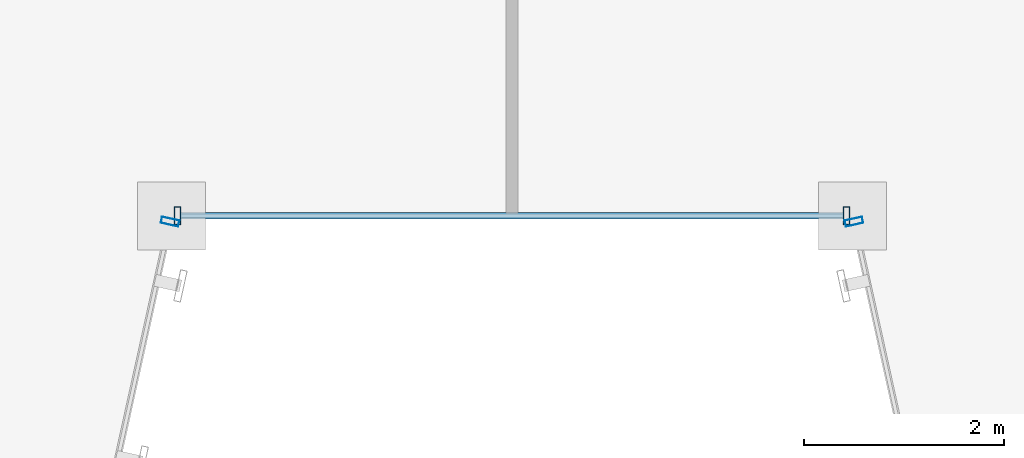
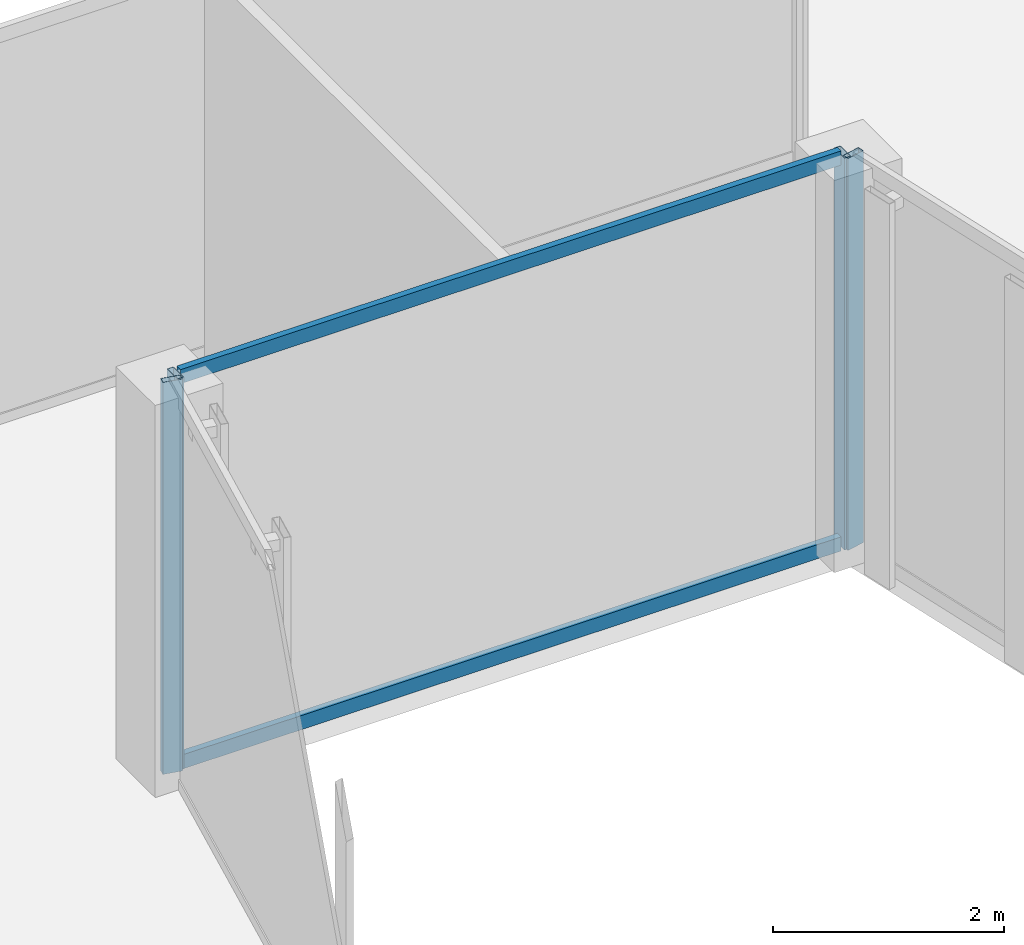
# One storey, part 9 of 47: 6 members, 3 elements without a shape of their own.
"""IFC4 building model written with IfcOpenShell, lengths in metres."""

import ifcopenshell
import ifcopenshell.guid

model = None  # the IFC model being written
_history = None  # IfcOwnerHistory: only IFC2X3 demands one
_inside = {}  # id of a spatial element -> (the spatial element, [elements in it])
_under = {}  # id of a project, library or spatial element -> (it, [spatial elements below it])
_declared = {}  # id of a project -> (the project, [libraries it declares])
_typed = {}  # id of a type object -> (the type object, [elements of that type])
_made_of = {}  # id of a material, layer set ... -> (it, [elements and type objects made of it])


def new_model(schema):
    """Start an empty IFC model of exactly this schema.

    Asked for "IFC4X3", IfcOpenShell would pick the latest addendum, in which some entities
    have other attributes; the version numbers below select the first issue.
    IFC2X3 requires an IfcOwnerHistory on every rooted entity: one is made here for all.
    """
    global model, _history
    if schema == "IFC4X3":
        model = ifcopenshell.file(schema_version=(4, 3, 0, 0))
    else:
        model = ifcopenshell.file(schema=schema)
    _inside.clear()
    _under.clear()
    _declared.clear()
    _typed.clear()
    _made_of.clear()
    _history = None
    if model.schema == "IFC2X3":
        org = make("IfcOrganization", Name="unknown")
        user = make(
            "IfcPersonAndOrganization",
            ThePerson=make("IfcPerson", FamilyName="unknown"),
            TheOrganization=org,
        )
        app = make(
            "IfcApplication",
            ApplicationDeveloper=org,
            Version="unknown",
            ApplicationFullName="unknown",
            ApplicationIdentifier="unknown",
        )
        _history = make(
            "IfcOwnerHistory",
            OwningUser=user,
            OwningApplication=app,
            ChangeAction="ADDED",
            CreationDate=0,
        )
    return model


def make(cls, **values):
    """One entity of the class cls with the attributes given. An attribute that is None is left unset."""
    return model.create_entity(
        cls, **{name: value for name, value in values.items() if value is not None}
    )


def rooted(cls, **values):
    """An entity with a GlobalId (a new one), such as an element, a storey or a relation."""
    return make(cls, GlobalId=ifcopenshell.guid.new(), OwnerHistory=_history, **values)


def si_unit(unit_type, name, prefix=None):
    """IfcSIUnit, for example si_unit("LENGTHUNIT", "METRE", prefix="MILLI")."""
    return make("IfcSIUnit", UnitType=unit_type, Prefix=prefix, Name=name)


def assignment(units):
    """IfcUnitAssignment: the units of a project."""
    return None if units is None else make("IfcUnitAssignment", Units=units)


def point(xyz):
    """IfcCartesianPoint."""
    return None if xyz is None else make("IfcCartesianPoint", Coordinates=xyz)


def direction(xyz):
    """IfcDirection."""
    return None if xyz is None else make("IfcDirection", DirectionRatios=xyz)


def frame(location, z_axis=None, x_axis=None):
    """IfcAxis2Placement3D, a coordinate frame: its origin and axes. An axis left out is left unset."""
    return make(
        "IfcAxis2Placement3D",
        Location=point(location),
        Axis=direction(z_axis),
        RefDirection=direction(x_axis),
    )


def frame_2d(location, x_axis=None):
    """IfcAxis2Placement2D, a coordinate frame in the plane: its origin and x axis."""
    return make(
        "IfcAxis2Placement2D", Location=point(location), RefDirection=direction(x_axis)
    )


def origin():
    """The frame at (0, 0, 0) with its axes left unset."""
    return frame((0.0, 0.0, 0.0))


def origin_2d():
    """The frame at (0, 0) in the plane with its x axis left unset."""
    return frame_2d((0.0, 0.0))


def place(relative_to, where):
    """IfcLocalPlacement: puts the frame where relative to a parent placement (None: the world)."""
    return make(
        "IfcLocalPlacement", PlacementRelTo=relative_to, RelativePlacement=where
    )


def context(
    kind, dimensions, precision=None, world=None, true_north=None, identifier=None
):
    """IfcGeometricRepresentationContext, for example the 3D "Model" context."""
    return make(
        "IfcGeometricRepresentationContext",
        ContextIdentifier=identifier,
        ContextType=kind,
        CoordinateSpaceDimension=dimensions,
        Precision=precision,
        WorldCoordinateSystem=world,
        TrueNorth=true_north,
    )


def subcontext(parent, identifier, kind, view, scale=None):
    """IfcGeometricRepresentationSubContext, for example "Body" below "Model"."""
    return make(
        "IfcGeometricRepresentationSubContext",
        ContextIdentifier=identifier,
        ContextType=kind,
        ParentContext=parent,
        TargetScale=scale,
        TargetView=view,
    )


def project(units=None, contexts=None):
    """IfcProject with its units and contexts."""
    return rooted(
        "IfcProject",
        Name="project",
        RepresentationContexts=contexts,
        UnitsInContext=assignment(units),
    )


def spatial(cls, under=None, at=None, **own):
    """A site, building, storey or space (cls), placed at a placement, below another one or the project."""
    s = rooted(cls, ObjectPlacement=at, **own)
    if under is not None:
        _under.setdefault(under.id(), (under, []))[1].append(s)
    return s


def profile(cls, at=None, kind="AREA", **sizes):
    """A parametric profile (cls). Its sizes go by their IFC names, for example OverallWidth=200.0."""
    return make(cls, ProfileType=kind, Position=at, **sizes)


def hollow_rectangle(**sizes):
    """IfcRectangleHollowProfileDef."""
    return profile("IfcRectangleHollowProfileDef", **sizes)


def extrude(swept, where, along, depth):
    """IfcExtrudedAreaSolid: the profile swept, set in the frame where, extruded along a direction by depth."""
    return make(
        "IfcExtrudedAreaSolid",
        SweptArea=swept,
        Position=where,
        ExtrudedDirection=direction(along),
        Depth=depth,
    )


def shape(context_of_items, identifier, shape_type, items):
    """IfcShapeRepresentation: the items that make up one representation, for example the "Body"."""
    return make(
        "IfcShapeRepresentation",
        ContextOfItems=context_of_items,
        RepresentationIdentifier=identifier,
        RepresentationType=shape_type,
        Items=items,
    )


def material(Name=None, Category=None):
    """IfcMaterial."""
    return make("IfcMaterial", Name=Name, Category=Category)


def material_profile(
    of_material, cross_section, Name=None, Category=None, Priority=None
):
    """IfcMaterialProfile: a cross section and its material."""
    return make(
        "IfcMaterialProfile",
        Name=Name,
        Material=of_material,
        Profile=cross_section,
        Priority=Priority,
        Category=Category,
    )


def profile_set(profiles, Name=None, composite=None):
    """IfcMaterialProfileSet."""
    return make(
        "IfcMaterialProfileSet",
        Name=Name,
        MaterialProfiles=profiles,
        CompositeProfile=composite,
    )


def made_of(thing, what):
    """Note that an element or type object is made of a material, layer set ...; save() writes the relation."""
    if what is not None:
        _made_of.setdefault(what.id(), (what, []))[1].append(thing)
    return thing


def type_object(cls, material=None, **own):
    """A type object (cls), such as IfcWallType, which elements share."""
    return made_of(rooted(cls, **own), material)


def element(
    cls,
    number,
    at=None,
    inside=None,
    cuts=None,
    type_object=None,
    material=None,
    context=None,
    identifier="Body",
    shape_type=None,
    held_by="IfcProductDefinitionShape",
    body=None,
    shapes=None,
    **own,
):
    """One element of the class cls, such as IfcWall. Its Tag is "e" and its number.

    at: its placement. inside: the storey or other place that contains it. cuts: it is an
    opening in that element (IfcRelVoidsElement). A single representation is given by context,
    identifier, shape_type and body (its items); several are given by shapes. held_by: the class
    of the entity that holds the representations. save() writes the other relations.
    """
    e = rooted(cls, Tag="e%d" % number, ObjectPlacement=at, **own)
    if body is not None:
        shapes = [shape(context, identifier, shape_type, body)]
    if shapes is not None:
        e.Representation = make(held_by, Representations=shapes)
    if inside is not None:
        _inside.setdefault(inside.id(), (inside, []))[1].append(e)
    if cuts is not None:
        rooted(
            "IfcRelVoidsElement", RelatingBuildingElement=cuts, RelatedOpeningElement=e
        )
    if type_object is not None:
        _typed.setdefault(type_object.id(), (type_object, []))[1].append(e)
    return made_of(e, material)


def aggregate(whole, parts):
    """IfcRelAggregates: a whole, such as a stair, and the parts it consists of."""
    return rooted("IfcRelAggregates", RelatingObject=whole, RelatedObjects=parts)


def save(model, path):
    """Write the relations noted so far, then the file.

    IfcRelAggregates (storeys below a building ...), IfcRelContainedInSpatialStructure (elements
    in a storey), IfcRelDefinesByType, IfcRelAssociatesMaterial and IfcRelDeclares: one each for
    every whole, place, type object, material and project.
    """
    for whole, parts in _under.values():
        aggregate(whole, parts)
    for where, things in _inside.values():
        rooted(
            "IfcRelContainedInSpatialStructure",
            RelatedElements=things,
            RelatingStructure=where,
        )
    for kind, things in _typed.values():
        rooted("IfcRelDefinesByType", RelatedObjects=things, RelatingType=kind)
    for what, things in _made_of.values():
        rooted("IfcRelAssociatesMaterial", RelatedObjects=things, RelatingMaterial=what)
    for by, libraries in _declared.values():
        rooted("IfcRelDeclares", RelatingContext=by, RelatedDefinitions=libraries)
    model.write(path)


model = new_model("IFC4")

# Units and contexts
model_context = context("Model", 3, precision=1e-05, world=origin(), true_north=direction((0.0, 1.0)))
body_context = subcontext(model_context, "Body", "Model", "MODEL_VIEW")
ifc_project = project(units=[si_unit("LENGTHUNIT", "METRE"), si_unit("AREAUNIT", "SQUARE_METRE"), si_unit("VOLUMEUNIT", "CUBIC_METRE"), si_unit("PLANEANGLEUNIT", "RADIAN"), si_unit("MASSUNIT", "GRAM", prefix="KILO")], contexts=[model_context])

# Site, building, storey
site_placement = place(None, origin())
site = spatial("IfcSite", under=ifc_project, at=site_placement, CompositionType="ELEMENT")
building_placement = place(site_placement, origin())
building = spatial("IfcBuilding", under=site, at=building_placement, Name="Saevonmaru Cultural Tower", CompositionType="ELEMENT")
storey_placement = place(building_placement, frame((0.0, 0.0, 69.199951171875)))
storey = spatial("IfcBuildingStorey", under=building, at=storey_placement, Name="L14", CompositionType="ELEMENT", Elevation=69.199951171875)

# Curtain wall, member
ifc_material = material(Name="Satin Bronze Anodised Aluminium", Category="aluminium")
curtain_wall_type = type_object("IfcCurtainWallType", Name="CW-TYP-A", PredefinedType="NOTDEFINED", material=ifc_material)
curtain_wall_1_placement = place(storey_placement, origin())
curtain_wall_1 = element("IfcCurtainWall", 1, at=curtain_wall_1_placement, inside=storey, type_object=curtain_wall_type, Name="L14 Unitised Curtain Wall E3", PredefinedType="NOTDEFINED")
ifc_material_profile_1 = material_profile(ifc_material, hollow_rectangle(XDim=0.06494140625, YDim=0.179931640625, WallThickness=0.00390625, at=origin_2d()), Name="ALU-MULL-180x65x4")
ifc_profile_set_1 = profile_set([ifc_material_profile_1], Name="Satin Bronze Anodised Aluminium")
member_type_1 = type_object("IfcMemberType", Name="ML-CW-180x65", PredefinedType="MULLION", material=ifc_profile_set_1)
member_1_placement = place(storey_placement, frame((26.587158203125, 15.54150390625, 0.0), z_axis=(0.0, 0.0, 1.0), x_axis=(0.215413319953, 0.976522965212, 0.0)))
member_1 = element("IfcMember", 2, at=member_1_placement, type_object=member_type_1, Name="CW-TW-L14-E3 mullion 2", PredefinedType="MULLION", context=body_context, shape_type="SweptSolid", body=[
    extrude(hollow_rectangle(XDim=0.06494140625, YDim=0.179931640625, WallThickness=0.00390625, at=origin_2d()), origin(), (0.0, 0.0, 1.0), 4.150146484375),
])
aggregate(curtain_wall_1, [member_1])

# Curtain wall, members
curtain_wall_2_placement = place(storey_placement, origin())
curtain_wall_2 = element("IfcCurtainWall", 3, at=curtain_wall_2_placement, inside=storey, type_object=curtain_wall_type, Name="L14 Unitised Curtain Wall E4", PredefinedType="NOTDEFINED")
member_2_placement = place(storey_placement, frame((26.659912109375, 15.60009765625, 0.0), z_axis=(0.0, 0.0, 1.0), x_axis=(1.0, 0.0, 0.0)))
member_2 = element("IfcMember", 4, at=member_2_placement, type_object=member_type_1, Name="CW-TW-L14-E4 mullion 1", PredefinedType="MULLION", context=body_context, shape_type="SweptSolid", body=[
    extrude(hollow_rectangle(XDim=0.06494140625, YDim=0.179931640625, WallThickness=0.00390625, at=origin_2d()), origin(), (0.0, 0.0, 1.0), 4.150146484375),
])
member_3_placement = place(storey_placement, frame((33.340087890625, 15.60009765625, 0.0), z_axis=(0.0, 0.0, 1.0), x_axis=(1.0, 0.0, 0.0)))
member_3 = element("IfcMember", 5, at=member_3_placement, type_object=member_type_1, Name="CW-TW-L14-E4 mullion 2", PredefinedType="MULLION", context=body_context, shape_type="SweptSolid", body=[
    extrude(hollow_rectangle(XDim=0.06494140625, YDim=0.179931640625, WallThickness=0.00390625, at=origin_2d()), origin(), (0.0, 0.0, 1.0), 4.150146484375),
])

# Curtain wall, member
curtain_wall_3_placement = place(storey_placement, origin())
curtain_wall_3 = element("IfcCurtainWall", 6, at=curtain_wall_3_placement, inside=storey, type_object=curtain_wall_type, Name="L14 Unitised Curtain Wall E5", PredefinedType="NOTDEFINED")
member_4_placement = place(storey_placement, frame((33.412841796875, 15.54150390625, 0.0), z_axis=(0.0, 0.0, 1.0), x_axis=(0.215413319953, -0.976522965212, 0.0)))
member_4 = element("IfcMember", 7, at=member_4_placement, type_object=member_type_1, Name="CW-TW-L14-E5 mullion 1", PredefinedType="MULLION", context=body_context, shape_type="SweptSolid", body=[
    extrude(hollow_rectangle(XDim=0.06494140625, YDim=0.179931640625, WallThickness=0.00390625, at=origin_2d()), origin(), (0.0, 0.0, 1.0), 4.150146484375),
])
aggregate(curtain_wall_3, [member_4])

# Member
ifc_material_profile_2 = material_profile(ifc_material, hollow_rectangle(XDim=0.06494140625, YDim=0.14990234375, WallThickness=0.00390625, at=origin_2d()), Name="ALU-TRAN-150x65x4")
ifc_profile_set_2 = profile_set([ifc_material_profile_2], Name="Satin Bronze Anodised Aluminium")
member_type_2 = type_object("IfcMemberType", Name="TR-CW-150x65", PredefinedType="USERDEFINED", material=ifc_profile_set_2)
member_5_placement = place(storey_placement, frame((26.6923828125, 15.60009765625, 0.032470703125), z_axis=(1.0, 0.0, 0.0), x_axis=(0.0, 1.0, 0.0)))
member_5 = element("IfcMember", 8, at=member_5_placement, type_object=member_type_2, Name="CW-TW-L14-E4 transom 1.1", ObjectType="TRANSOM", PredefinedType="USERDEFINED", context=body_context, shape_type="SweptSolid", body=[
    extrude(hollow_rectangle(XDim=0.06494140625, YDim=0.14990234375, WallThickness=0.00390625, at=origin_2d()), origin(), (0.0, 0.0, 1.0), 6.615234375),
])

member_6_placement = place(storey_placement, frame((26.6923828125, 15.60009765625, 4.117431640625), z_axis=(1.0, 0.0, 0.0), x_axis=(0.0, 1.0, 0.0)))
member_6 = element("IfcMember", 9, at=member_6_placement, type_object=member_type_2, Name="CW-TW-L14-E4 transom 1.2", ObjectType="TRANSOM", PredefinedType="USERDEFINED", context=body_context, shape_type="SweptSolid", body=[
    extrude(hollow_rectangle(XDim=0.06494140625, YDim=0.14990234375, WallThickness=0.00390625, at=origin_2d()), origin(), (0.0, 0.0, 1.0), 6.615234375),
])

aggregate(curtain_wall_2, [member_2, member_3, member_5, member_6])

save(model, "model.ifc")
